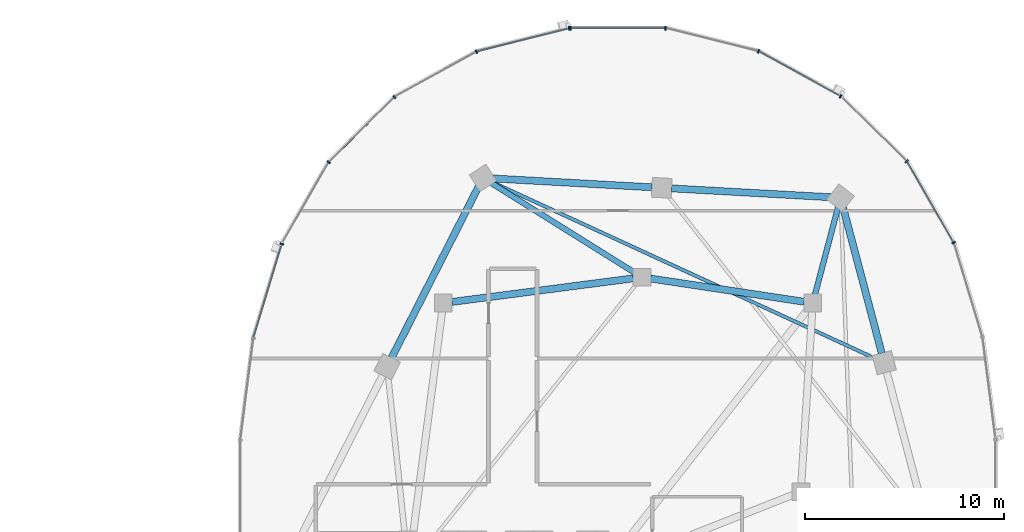
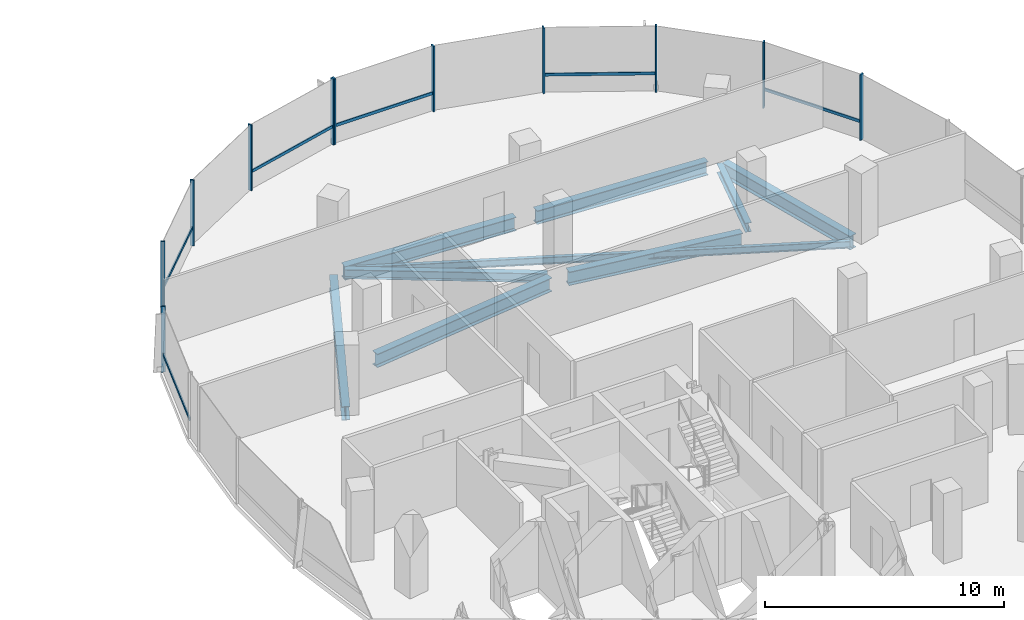
# One storey, part 9 of 23: 17 members, 9 beams, 2 elements without a shape of their own.
"""IFC4 building model written with IfcOpenShell, lengths in metres."""

import ifcopenshell
import ifcopenshell.guid

model = None  # the IFC model being written
_history = None  # IfcOwnerHistory: only IFC2X3 demands one
_inside = {}  # id of a spatial element -> (the spatial element, [elements in it])
_under = {}  # id of a project, library or spatial element -> (it, [spatial elements below it])
_declared = {}  # id of a project -> (the project, [libraries it declares])
_typed = {}  # id of a type object -> (the type object, [elements of that type])
_made_of = {}  # id of a material, layer set ... -> (it, [elements and type objects made of it])


def new_model(schema):
    """Start an empty IFC model of exactly this schema.

    Asked for "IFC4X3", IfcOpenShell would pick the latest addendum, in which some entities
    have other attributes; the version numbers below select the first issue.
    IFC2X3 requires an IfcOwnerHistory on every rooted entity: one is made here for all.
    """
    global model, _history
    if schema == "IFC4X3":
        model = ifcopenshell.file(schema_version=(4, 3, 0, 0))
    else:
        model = ifcopenshell.file(schema=schema)
    _inside.clear()
    _under.clear()
    _declared.clear()
    _typed.clear()
    _made_of.clear()
    _history = None
    if model.schema == "IFC2X3":
        org = make("IfcOrganization", Name="unknown")
        user = make(
            "IfcPersonAndOrganization",
            ThePerson=make("IfcPerson", FamilyName="unknown"),
            TheOrganization=org,
        )
        app = make(
            "IfcApplication",
            ApplicationDeveloper=org,
            Version="unknown",
            ApplicationFullName="unknown",
            ApplicationIdentifier="unknown",
        )
        _history = make(
            "IfcOwnerHistory",
            OwningUser=user,
            OwningApplication=app,
            ChangeAction="ADDED",
            CreationDate=0,
        )
    return model


def make(cls, **values):
    """One entity of the class cls with the attributes given. An attribute that is None is left unset."""
    return model.create_entity(
        cls, **{name: value for name, value in values.items() if value is not None}
    )


def rooted(cls, **values):
    """An entity with a GlobalId (a new one), such as an element, a storey or a relation."""
    return make(cls, GlobalId=ifcopenshell.guid.new(), OwnerHistory=_history, **values)


def si_unit(unit_type, name, prefix=None):
    """IfcSIUnit, for example si_unit("LENGTHUNIT", "METRE", prefix="MILLI")."""
    return make("IfcSIUnit", UnitType=unit_type, Prefix=prefix, Name=name)


def assignment(units):
    """IfcUnitAssignment: the units of a project."""
    return None if units is None else make("IfcUnitAssignment", Units=units)


def point(xyz):
    """IfcCartesianPoint."""
    return None if xyz is None else make("IfcCartesianPoint", Coordinates=xyz)


def direction(xyz):
    """IfcDirection."""
    return None if xyz is None else make("IfcDirection", DirectionRatios=xyz)


def frame(location, z_axis=None, x_axis=None):
    """IfcAxis2Placement3D, a coordinate frame: its origin and axes. An axis left out is left unset."""
    return make(
        "IfcAxis2Placement3D",
        Location=point(location),
        Axis=direction(z_axis),
        RefDirection=direction(x_axis),
    )


def frame_2d(location, x_axis=None):
    """IfcAxis2Placement2D, a coordinate frame in the plane: its origin and x axis."""
    return make(
        "IfcAxis2Placement2D", Location=point(location), RefDirection=direction(x_axis)
    )


def origin():
    """The frame at (0, 0, 0) with its axes left unset."""
    return frame((0.0, 0.0, 0.0))


def origin_2d():
    """The frame at (0, 0) in the plane with its x axis left unset."""
    return frame_2d((0.0, 0.0))


def place(relative_to, where):
    """IfcLocalPlacement: puts the frame where relative to a parent placement (None: the world)."""
    return make(
        "IfcLocalPlacement", PlacementRelTo=relative_to, RelativePlacement=where
    )


def context(
    kind, dimensions, precision=None, world=None, true_north=None, identifier=None
):
    """IfcGeometricRepresentationContext, for example the 3D "Model" context."""
    return make(
        "IfcGeometricRepresentationContext",
        ContextIdentifier=identifier,
        ContextType=kind,
        CoordinateSpaceDimension=dimensions,
        Precision=precision,
        WorldCoordinateSystem=world,
        TrueNorth=true_north,
    )


def subcontext(parent, identifier, kind, view, scale=None):
    """IfcGeometricRepresentationSubContext, for example "Body" below "Model"."""
    return make(
        "IfcGeometricRepresentationSubContext",
        ContextIdentifier=identifier,
        ContextType=kind,
        ParentContext=parent,
        TargetScale=scale,
        TargetView=view,
    )


def project(units=None, contexts=None):
    """IfcProject with its units and contexts."""
    return rooted(
        "IfcProject",
        Name="project",
        RepresentationContexts=contexts,
        UnitsInContext=assignment(units),
    )


def spatial(cls, under=None, at=None, **own):
    """A site, building, storey or space (cls), placed at a placement, below another one or the project."""
    s = rooted(cls, ObjectPlacement=at, **own)
    if under is not None:
        _under.setdefault(under.id(), (under, []))[1].append(s)
    return s


def profile(cls, at=None, kind="AREA", **sizes):
    """A parametric profile (cls). Its sizes go by their IFC names, for example OverallWidth=200.0."""
    return make(cls, ProfileType=kind, Position=at, **sizes)


def rectangle(**sizes):
    """IfcRectangleProfileDef."""
    return profile("IfcRectangleProfileDef", **sizes)


def i_section(**sizes):
    """IfcIShapeProfileDef."""
    return profile("IfcIShapeProfileDef", **sizes)


def extrude(swept, where, along, depth):
    """IfcExtrudedAreaSolid: the profile swept, set in the frame where, extruded along a direction by depth."""
    return make(
        "IfcExtrudedAreaSolid",
        SweptArea=swept,
        Position=where,
        ExtrudedDirection=direction(along),
        Depth=depth,
    )


def shape(context_of_items, identifier, shape_type, items):
    """IfcShapeRepresentation: the items that make up one representation, for example the "Body"."""
    return make(
        "IfcShapeRepresentation",
        ContextOfItems=context_of_items,
        RepresentationIdentifier=identifier,
        RepresentationType=shape_type,
        Items=items,
    )


def material(Name=None, Category=None):
    """IfcMaterial."""
    return make("IfcMaterial", Name=Name, Category=Category)


def material_profile(
    of_material, cross_section, Name=None, Category=None, Priority=None
):
    """IfcMaterialProfile: a cross section and its material."""
    return make(
        "IfcMaterialProfile",
        Name=Name,
        Material=of_material,
        Profile=cross_section,
        Priority=Priority,
        Category=Category,
    )


def profile_set(profiles, Name=None, composite=None):
    """IfcMaterialProfileSet."""
    return make(
        "IfcMaterialProfileSet",
        Name=Name,
        MaterialProfiles=profiles,
        CompositeProfile=composite,
    )


def made_of(thing, what):
    """Note that an element or type object is made of a material, layer set ...; save() writes the relation."""
    if what is not None:
        _made_of.setdefault(what.id(), (what, []))[1].append(thing)
    return thing


def type_object(cls, material=None, **own):
    """A type object (cls), such as IfcWallType, which elements share."""
    return made_of(rooted(cls, **own), material)


def element(
    cls,
    number,
    at=None,
    inside=None,
    cuts=None,
    type_object=None,
    material=None,
    context=None,
    identifier="Body",
    shape_type=None,
    held_by="IfcProductDefinitionShape",
    body=None,
    shapes=None,
    **own,
):
    """One element of the class cls, such as IfcWall. Its Tag is "e" and its number.

    at: its placement. inside: the storey or other place that contains it. cuts: it is an
    opening in that element (IfcRelVoidsElement). A single representation is given by context,
    identifier, shape_type and body (its items); several are given by shapes. held_by: the class
    of the entity that holds the representations. save() writes the other relations.
    """
    e = rooted(cls, Tag="e%d" % number, ObjectPlacement=at, **own)
    if body is not None:
        shapes = [shape(context, identifier, shape_type, body)]
    if shapes is not None:
        e.Representation = make(held_by, Representations=shapes)
    if inside is not None:
        _inside.setdefault(inside.id(), (inside, []))[1].append(e)
    if cuts is not None:
        rooted(
            "IfcRelVoidsElement", RelatingBuildingElement=cuts, RelatedOpeningElement=e
        )
    if type_object is not None:
        _typed.setdefault(type_object.id(), (type_object, []))[1].append(e)
    return made_of(e, material)


def aggregate(whole, parts):
    """IfcRelAggregates: a whole, such as a stair, and the parts it consists of."""
    return rooted("IfcRelAggregates", RelatingObject=whole, RelatedObjects=parts)


def save(model, path):
    """Write the relations noted so far, then the file.

    IfcRelAggregates (storeys below a building ...), IfcRelContainedInSpatialStructure (elements
    in a storey), IfcRelDefinesByType, IfcRelAssociatesMaterial and IfcRelDeclares: one each for
    every whole, place, type object, material and project.
    """
    for whole, parts in _under.values():
        aggregate(whole, parts)
    for where, things in _inside.values():
        rooted(
            "IfcRelContainedInSpatialStructure",
            RelatedElements=things,
            RelatingStructure=where,
        )
    for kind, things in _typed.values():
        rooted("IfcRelDefinesByType", RelatedObjects=things, RelatingType=kind)
    for what, things in _made_of.values():
        rooted("IfcRelAssociatesMaterial", RelatedObjects=things, RelatingMaterial=what)
    for by, libraries in _declared.values():
        rooted("IfcRelDeclares", RelatingContext=by, RelatedDefinitions=libraries)
    model.write(path)


model = new_model("IFC4")

# Units and contexts
model_context = context("Model", 3, precision=1e-05, world=origin(), true_north=direction((0.0, 1.0)))
body_context = subcontext(model_context, "Body", "Model", "MODEL_VIEW")
ifc_project = project(units=[si_unit("LENGTHUNIT", "METRE"), si_unit("AREAUNIT", "SQUARE_METRE"), si_unit("VOLUMEUNIT", "CUBIC_METRE"), si_unit("PLANEANGLEUNIT", "RADIAN"), si_unit("MASSUNIT", "GRAM", prefix="KILO"), si_unit("THERMODYNAMICTEMPERATUREUNIT", "KELVIN"), si_unit("POWERUNIT", "WATT")], contexts=[model_context])

# Site, building, storey
site_placement = place(None, origin())
site = spatial("IfcSite", under=ifc_project, at=site_placement, CompositionType="ELEMENT")
building_placement = place(site_placement, origin())
building = spatial("IfcBuilding", under=site, at=building_placement, Name="Cundina Bronze Exchange", CompositionType="ELEMENT")
storey_placement = place(building_placement, frame((0.0, 0.0, 176.39990234375)))
storey = spatial("IfcBuildingStorey", under=building, at=storey_placement, Name="L46", CompositionType="ELEMENT", Elevation=176.39990234375)

# Beams
ifc_material_1 = material(Name="Steel ASTM A992 Grade 50", Category="steel")
ifc_material_profile_1 = material_profile(ifc_material_1, i_section(OverallWidth=0.280029296875, OverallDepth=0.462890625, WebThickness=0.0107421875, FlangeThickness=0.017333984375, FilletRadius=0.011962890625, at=origin_2d()), Name="W18X76", Category="steel")
ifc_profile_set_1 = profile_set([ifc_material_profile_1], Name="Steel ASTM A992 Grade 50")
beam_type_1 = type_object("IfcBeamType", Name="BM-FLR-W18A", PredefinedType="BEAM", material=ifc_profile_set_1)
beam_1_placement = place(storey_placement, frame((41.911865234375, 9.923583984375, -0.471435546875), z_axis=(0.255413807463, 0.966831829719, 0.0), x_axis=(-0.966831829719, 0.255413807463, 0.0)))
element("IfcBeam", 1, at=beam_1_placement, inside=storey, type_object=beam_type_1, Name="L46 Leg E Chordal Floor Beam 10", PredefinedType="BEAM", context=body_context, shape_type="SweptSolid", body=[
    extrude(i_section(OverallWidth=0.280029296875, OverallDepth=0.462890625, WebThickness=0.0107421875, FlangeThickness=0.017333984375, FilletRadius=0.011962890625, at=origin_2d()), origin(), (0.0, 0.0, 1.0), 4.5556640625),
])
beam_2_placement = place(storey_placement, frame((32.82861328125, 11.031982421875, -0.471435546875), z_axis=(-0.847985407265, 0.530019574228, 0.0), x_axis=(-0.530019574228, -0.847985407265, 0.0)))
element("IfcBeam", 2, at=beam_2_placement, inside=storey, type_object=beam_type_1, Name="L46 Leg E Chordal Floor Beam 12", PredefinedType="BEAM", context=body_context, shape_type="SweptSolid", body=[
    extrude(i_section(OverallWidth=0.280029296875, OverallDepth=0.462890625, WebThickness=0.0107421875, FlangeThickness=0.017333984375, FilletRadius=0.011962890625, at=origin_2d()), origin(), (0.0, 0.0, 1.0), 8.50830078125),
])
ifc_material_profile_2 = material_profile(ifc_material_1, i_section(OverallWidth=0.172119140625, OverallDepth=0.35791015625, WebThickness=0.0078125, FlangeThickness=0.01318359375, FilletRadius=0.010009765625, at=origin_2d()), Name="W14X38", Category="steel")
ifc_profile_set_2 = profile_set([ifc_material_profile_2], Name="Steel ASTM A992 Grade 50")
beam_type_2 = type_object("IfcBeamType", Name="BM-JST-W14", PredefinedType="JOIST", material=ifc_profile_set_2)
beam_3_placement = place(storey_placement, frame((44.956787109375, 6.7041015625, -0.4189453125), z_axis=(-0.908353865734, 0.418202408655, 0.0), x_axis=(-0.418202408655, -0.908353865734, 0.0)))
element("IfcBeam", 3, at=beam_3_placement, inside=storey, type_object=beam_type_2, Name="L46 Leg E Lobe Floor Joist 09-12", PredefinedType="JOIST", context=body_context, shape_type="SweptSolid", body=[
    extrude(i_section(OverallWidth=0.172119140625, OverallDepth=0.35791015625, WebThickness=0.0078125, FlangeThickness=0.01318359375, FilletRadius=0.010009765625, at=origin_2d()), origin(), (0.0, 0.0, 1.0), 21.261962890625),
])
ifc_material_profile_3 = material_profile(ifc_material_1, i_section(OverallWidth=0.35498046875, OverallDepth=0.695068359375, WebThickness=0.015380859375, FlangeThickness=0.02490234375, FilletRadius=0.01806640625, at=origin_2d()), Name="W27X146", Category="steel")
ifc_profile_set_3 = profile_set([ifc_material_profile_3], Name="Steel ASTM A992 Grade 50")
beam_type_3 = type_object("IfcBeamType", Name="BM-RING-W27", PredefinedType="USERDEFINED", material=ifc_profile_set_3)
beam_4_placement = place(storey_placement, frame((41.366943359375, 9.5654296875, -0.58740234375), z_axis=(-0.988764903598, 0.149478979839, 0.0), x_axis=(-0.149478979839, -0.988764903598, 0.0)))
element("IfcBeam", 4, at=beam_4_placement, inside=storey, type_object=beam_type_3, Name="L46 E Inner Structural Ring Girder 05", ObjectType="GIRDER", PredefinedType="USERDEFINED", context=body_context, shape_type="SweptSolid", body=[
    extrude(i_section(OverallWidth=0.35498046875, OverallDepth=0.695068359375, WebThickness=0.015380859375, FlangeThickness=0.02490234375, FilletRadius=0.01806640625, at=origin_2d()), origin(), (0.0, 0.0, 1.0), 7.82177734375),
])
beam_5_placement = place(storey_placement, frame((32.765625, 10.743408203125, -0.58740234375), z_axis=(-0.991656498582, -0.128908451316, 0.0), x_axis=(0.128908451316, -0.991656498582, 0.0)))
element("IfcBeam", 5, at=beam_5_placement, inside=storey, type_object=beam_type_3, Name="L46 E Inner Structural Ring Girder 06", ObjectType="GIRDER", PredefinedType="USERDEFINED", context=body_context, shape_type="SweptSolid", body=[
    extrude(i_section(OverallWidth=0.35498046875, OverallDepth=0.695068359375, WebThickness=0.015380859375, FlangeThickness=0.02490234375, FilletRadius=0.01806640625, at=origin_2d()), origin(), (0.0, 0.0, 1.0), 9.208251953125),
])
beam_6_placement = place(storey_placement, frame((45.27490234375, 6.9716796875, -0.58740234375), z_axis=(-0.256210841755, 0.96662092082, 0.0), x_axis=(-0.96662092082, -0.256210841755, 0.0)))
element("IfcBeam", 6, at=beam_6_placement, inside=storey, type_object=beam_type_3, Name="L46 E Perimeter Ring Girder 09", ObjectType="GIRDER", PredefinedType="USERDEFINED", context=body_context, shape_type="SweptSolid", body=[
    extrude(i_section(OverallWidth=0.35498046875, OverallDepth=0.695068359375, WebThickness=0.015380859375, FlangeThickness=0.02490234375, FilletRadius=0.01806640625, at=origin_2d()), origin(), (0.0, 0.0, 1.0), 7.61083984375),
])
for number, where, z_axis, x_axis, name in (
    (7, (42.712890625, 14.8271484375, -0.58740234375), (-0.998460820451, 0.055461608559, 0.0), (-0.055461608559, -0.998460820451, 0.0), "L46 E Perimeter Ring Girder 10"),
    (8, (33.712890625, 15.3271484375, -0.58740234375), (-0.998460820451, 0.055461608559, 0.0), (-0.055461608559, -0.998460820451, 0.0), "L46 E Perimeter Ring Girder 11"),
):
    element("IfcBeam", number, at=place(storey_placement, frame(where, z_axis=z_axis, x_axis=x_axis)), inside=storey, type_object=beam_type_3, Name=name, ObjectType="GIRDER", PredefinedType="USERDEFINED", context=body_context, shape_type="SweptSolid", body=[
        extrude(i_section(OverallWidth=0.35498046875, OverallDepth=0.695068359375, WebThickness=0.015380859375, FlangeThickness=0.02490234375, FilletRadius=0.01806640625, at=origin_2d()), origin(), (0.0, 0.0, 1.0), 8.0380859375),
    ])
beam_7_placement = place(storey_placement, frame((24.97900390625, 15.364990234375, -0.58740234375), z_axis=(-0.452834585354, -0.891594548159, 0.0), x_axis=(0.891594548159, -0.452834585354, 0.0)))
element("IfcBeam", 9, at=beam_7_placement, inside=storey, type_object=beam_type_3, Name="L46 E Perimeter Ring Girder 12", ObjectType="GIRDER", PredefinedType="USERDEFINED", context=body_context, shape_type="SweptSolid", body=[
    extrude(i_section(OverallWidth=0.35498046875, OverallDepth=0.695068359375, WebThickness=0.015380859375, FlangeThickness=0.02490234375, FilletRadius=0.01806640625, at=origin_2d()), origin(), (0.0, 0.0, 1.0), 9.67919921875),
])

# Curtain wall, members
ifc_material_2 = material(Name="Anodised Bronze Aluminium 6063-T6", Category="aluminium")
curtain_wall_type = type_object("IfcCurtainWallType", Name="CWS-WST-PIN", PredefinedType="NOTDEFINED", material=ifc_material_2)
curtain_wall_1_placement = place(storey_placement, origin())
curtain_wall_1 = element("IfcCurtainWall", 10, at=curtain_wall_1_placement, inside=storey, type_object=curtain_wall_type, Name="L46 CW-04 Curtain Wall Run CWR-L46-E1", PredefinedType="NOTDEFINED")
ifc_material_profile_4 = material_profile(ifc_material_2, rectangle(XDim=0.070068359375, YDim=0.18994140625, at=origin_2d()), Name="AL70X190", Category="aluminium")
ifc_profile_set_4 = profile_set([ifc_material_profile_4], Name="Anodised Bronze Aluminium 6063-T6")
member_type_1 = type_object("IfcMemberType", Name="CWM-MUL-190", PredefinedType="MULLION", material=ifc_profile_set_4)
member_1_placement = place(storey_placement, frame((48.89794921875, 12.541259765625, 0.0), z_axis=(0.0, 0.0, 1.0), x_axis=(-0.498487739754, 0.866896748936, 0.0)))
member_1 = element("IfcMember", 11, at=member_1_placement, type_object=member_type_1, Name="CW-04 Mullion 3", PredefinedType="MULLION", context=body_context, shape_type="SweptSolid", body=[
    extrude(rectangle(XDim=0.070068359375, YDim=0.18994140625, at=origin_2d()), origin(), (0.0, 0.0, 1.0), 3.360107421875),
])
member_2_placement = place(storey_placement, frame((46.530517578125, 16.640380859375, 0.0), z_axis=(0.0, 0.0, 1.0), x_axis=(-0.712026045991, 0.702153052995, 0.0)))
member_2 = element("IfcMember", 12, at=member_2_placement, type_object=member_type_1, Name="CW-04 Mullion 4", PredefinedType="MULLION", context=body_context, shape_type="SweptSolid", body=[
    extrude(rectangle(XDim=0.070068359375, YDim=0.18994140625, at=origin_2d()), origin(), (0.0, 0.0, 1.0), 3.360107421875),
])
member_3_placement = place(storey_placement, frame((43.20654296875, 19.906005859375, 0.0), z_axis=(0.0, 0.0, 1.0), x_axis=(-0.875885937035, 0.482518212408, 0.0)))
member_3 = element("IfcMember", 13, at=member_3_placement, type_object=member_type_1, Name="CW-04 Mullion 5", PredefinedType="MULLION", context=body_context, shape_type="SweptSolid", body=[
    extrude(rectangle(XDim=0.070068359375, YDim=0.18994140625, at=origin_2d()), origin(), (0.0, 0.0, 1.0), 3.360107421875),
])
member_4_placement = place(storey_placement, frame((39.067626953125, 22.17626953125, 0.0), z_axis=(0.0, 0.0, 1.0), x_axis=(-0.970084240161, 0.242768546132, 0.0)))
member_4 = element("IfcMember", 14, at=member_4_placement, type_object=member_type_1, Name="CW-04 Mullion 6", PredefinedType="MULLION", context=body_context, shape_type="SweptSolid", body=[
    extrude(rectangle(XDim=0.070068359375, YDim=0.18994140625, at=origin_2d()), origin(), (0.0, 0.0, 1.0), 3.360107421875),
])
member_5_placement = place(storey_placement, frame((34.39404296875, 23.3369140625, 0.0), z_axis=(0.0, 0.0, 1.0), x_axis=(-1.0, 0.0, 0.0)))
member_5 = element("IfcMember", 15, at=member_5_placement, type_object=member_type_1, Name="CW-04 Mullion 7", PredefinedType="MULLION", context=body_context, shape_type="SweptSolid", body=[
    extrude(rectangle(XDim=0.070068359375, YDim=0.18994140625, at=origin_2d()), origin(), (0.0, 0.0, 1.0), 3.360107421875),
])
member_6_placement = place(storey_placement, frame((29.60595703125, 23.3369140625, 0.0), z_axis=(0.0, 0.0, 1.0), x_axis=(-1.0, 0.0, 0.0)))
member_6 = element("IfcMember", 16, at=member_6_placement, type_object=member_type_1, Name="CW-04 End Mullion", PredefinedType="MULLION", context=body_context, shape_type="SweptSolid", body=[
    extrude(rectangle(XDim=0.070068359375, YDim=0.18994140625, at=origin_2d()), origin(), (0.0, 0.0, 1.0), 3.360107421875),
])

curtain_wall_2_placement = place(storey_placement, origin())
curtain_wall_2 = element("IfcCurtainWall", 17, at=curtain_wall_2_placement, inside=storey, type_object=curtain_wall_type, Name="L46 CW-04 Curtain Wall Run CWR-L46-E2", PredefinedType="NOTDEFINED")
member_7_placement = place(storey_placement, frame((29.537353515625, 23.32861328125, 0.0), z_axis=(0.0, 0.0, 1.0), x_axis=(-0.970084240161, -0.242768546132, 0.0)))
member_7 = element("IfcMember", 18, at=member_7_placement, type_object=member_type_1, Name="CW-04 Mullion 1", PredefinedType="MULLION", context=body_context, shape_type="SweptSolid", body=[
    extrude(rectangle(XDim=0.070068359375, YDim=0.18994140625, at=origin_2d()), origin(), (0.0, 0.0, 1.0), 3.360107421875),
])
member_8_placement = place(storey_placement, frame((24.86962890625, 22.151611328125, 0.0), z_axis=(0.0, 0.0, 1.0), x_axis=(-0.875885937035, -0.482518212408, 0.0)))
member_8 = element("IfcMember", 19, at=member_8_placement, type_object=member_type_1, Name="CW-04 Mullion 2", PredefinedType="MULLION", context=body_context, shape_type="SweptSolid", body=[
    extrude(rectangle(XDim=0.070068359375, YDim=0.18994140625, at=origin_2d()), origin(), (0.0, 0.0, 1.0), 3.360107421875),
])
member_9_placement = place(storey_placement, frame((20.740966796875, 19.86669921875, 0.0), z_axis=(0.0, 0.0, 1.0), x_axis=(-0.712026045991, -0.702153052995, 0.0)))
member_9 = element("IfcMember", 20, at=member_9_placement, type_object=member_type_1, Name="CW-04 Mullion 3", PredefinedType="MULLION", context=body_context, shape_type="SweptSolid", body=[
    extrude(rectangle(XDim=0.070068359375, YDim=0.18994140625, at=origin_2d()), origin(), (0.0, 0.0, 1.0), 3.360107421875),
])
member_10_placement = place(storey_placement, frame((17.42919921875, 16.588134765625, 0.0), z_axis=(0.0, 0.0, 1.0), x_axis=(-0.498487739754, -0.866896748936, 0.0)))
member_10 = element("IfcMember", 21, at=member_10_placement, type_object=member_type_1, Name="CW-04 Mullion 4", PredefinedType="MULLION", context=body_context, shape_type="SweptSolid", body=[
    extrude(rectangle(XDim=0.070068359375, YDim=0.18994140625, at=origin_2d()), origin(), (0.0, 0.0, 1.0), 3.360107421875),
])
member_11_placement = place(storey_placement, frame((15.07373046875, 12.4755859375, 0.0), z_axis=(0.0, 0.0, 1.0), x_axis=(-0.290034140915, -0.957016299288, 0.0)))
member_11 = element("IfcMember", 22, at=member_11_placement, type_object=member_type_1, Name="CW-04 Mullion 5", PredefinedType="MULLION", context=body_context, shape_type="SweptSolid", body=[
    extrude(rectangle(XDim=0.070068359375, YDim=0.18994140625, at=origin_2d()), origin(), (0.0, 0.0, 1.0), 3.360107421875),
])

# Member
ifc_material_profile_5 = material_profile(ifc_material_2, rectangle(XDim=0.06494140625, YDim=0.14990234375, at=origin_2d()), Name="AL65X150", Category="aluminium")
ifc_profile_set_5 = profile_set([ifc_material_profile_5], Name="Anodised Bronze Aluminium 6063-T6")
member_type_2 = type_object("IfcMemberType", Name="CWM-TRN-150", PredefinedType="USERDEFINED", material=ifc_profile_set_5)
member_12_placement = place(storey_placement, frame((48.878662109375, 12.574462890625, 0.920166015625), z_axis=(-0.498479967047, 0.866901218394, 0.0), x_axis=(-0.866901218394, -0.498479967047, 0.0)))
member_12 = element("IfcMember", 23, at=member_12_placement, type_object=member_type_2, Name="CW-04 Spandrel Transom 3", ObjectType="TRANSOM", PredefinedType="USERDEFINED", context=body_context, shape_type="SweptSolid", body=[
    extrude(rectangle(XDim=0.06494140625, YDim=0.14990234375, at=origin_2d()), origin(), (0.0, 0.0, 1.0), 4.66845703125),
])

member_13_placement = place(storey_placement, frame((43.1728515625, 19.924560546875, 0.920166015625), z_axis=(-0.875878981549, 0.482530838062, 0.0), x_axis=(-0.482530838062, -0.875878981549, 0.0)))
member_13 = element("IfcMember", 24, at=member_13_placement, type_object=member_type_2, Name="CW-04 Spandrel Transom 5", ObjectType="TRANSOM", PredefinedType="USERDEFINED", context=body_context, shape_type="SweptSolid", body=[
    extrude(rectangle(XDim=0.06494140625, YDim=0.14990234375, at=origin_2d()), origin(), (0.0, 0.0, 1.0), 4.65380859375),
])

member_14_placement = place(storey_placement, frame((34.35546875, 23.3369140625, 0.920166015625), z_axis=(-1.0, 0.0, 0.0), x_axis=(0.0, -1.0, 0.0)))
member_14 = element("IfcMember", 25, at=member_14_placement, type_object=member_type_2, Name="CW-04 Spandrel Transom 7", ObjectType="TRANSOM", PredefinedType="USERDEFINED", context=body_context, shape_type="SweptSolid", body=[
    extrude(rectangle(XDim=0.06494140625, YDim=0.14990234375, at=origin_2d()), origin(), (0.0, 0.0, 1.0), 4.7109375),
])

aggregate(curtain_wall_1, [member_1, member_12, member_2, member_3, member_13, member_4, member_5, member_6, member_14])

member_15_placement = place(storey_placement, frame((29.5, 23.319091796875, 0.920166015625), z_axis=(-0.970100130035, -0.242705042606, 0.0), x_axis=(0.242705042606, -0.970100130035, 0.0)))
member_15 = element("IfcMember", 26, at=member_15_placement, type_object=member_type_2, Name="CW-04 Spandrel Transom 1", ObjectType="TRANSOM", PredefinedType="USERDEFINED", context=body_context, shape_type="SweptSolid", body=[
    extrude(rectangle(XDim=0.06494140625, YDim=0.14990234375, at=origin_2d()), origin(), (0.0, 0.0, 1.0), 4.746826171875),
])

member_16_placement = place(storey_placement, frame((20.71337890625, 19.839599609375, 0.920166015625), z_axis=(-0.712005023839, -0.702174370102, 0.0), x_axis=(0.702174370102, -0.712005023839, 0.0)))
member_16 = element("IfcMember", 27, at=member_16_placement, type_object=member_type_2, Name="CW-04 Spandrel Transom 3", ObjectType="TRANSOM", PredefinedType="USERDEFINED", context=body_context, shape_type="SweptSolid", body=[
    extrude(rectangle(XDim=0.06494140625, YDim=0.14990234375, at=origin_2d()), origin(), (0.0, 0.0, 1.0), 4.594482421875),
])

member_17_placement = place(storey_placement, frame((15.062744140625, 12.43896484375, 0.920166015625), z_axis=(-0.290051855969, -0.957010930371, 0.0), x_axis=(0.957010930371, -0.290051855969, 0.0)))
member_17 = element("IfcMember", 28, at=member_17_placement, type_object=member_type_2, Name="CW-04 Spandrel Transom 5", ObjectType="TRANSOM", PredefinedType="USERDEFINED", context=body_context, shape_type="SweptSolid", body=[
    extrude(rectangle(XDim=0.06494140625, YDim=0.14990234375, at=origin_2d()), origin(), (0.0, 0.0, 1.0), 4.876953125),
])

aggregate(curtain_wall_2, [member_7, member_15, member_8, member_9, member_16, member_10, member_11, member_17])

save(model, "model.ifc")
